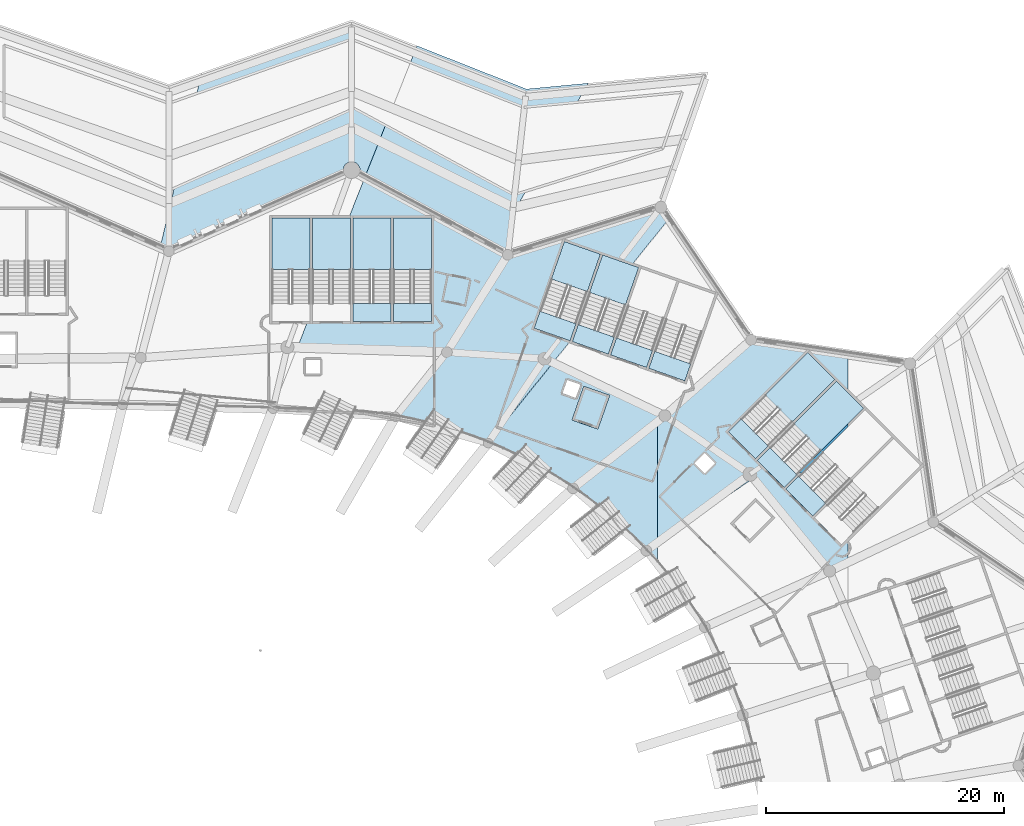
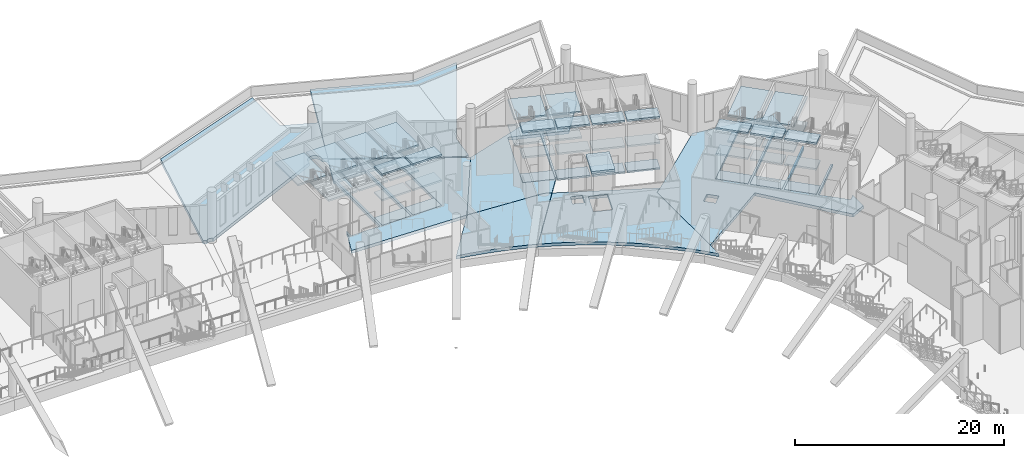
# One storey, part 39 of 173: 51 slabs, 11 elements without a shape of their own.
"""IFC4 building model written with IfcOpenShell, lengths in metres."""

from ifc_helpers import new_model, si_unit, direction, frame, origin, place, context, subcontext, project, spatial, polyline, outline, extrude, material, layer, layer_set, type_object, element, aggregate, save


model = new_model("IFC4")

# Units and contexts
model_context = context("Model", 3, precision=1e-05, world=origin(), true_north=direction((0.0, 1.0)))
body_context = subcontext(model_context, "Body", "Model", "MODEL_VIEW")
ifc_project = project(units=[si_unit("LENGTHUNIT", "METRE"), si_unit("AREAUNIT", "SQUARE_METRE"), si_unit("VOLUMEUNIT", "CUBIC_METRE"), si_unit("PLANEANGLEUNIT", "RADIAN"), si_unit("MASSUNIT", "GRAM", prefix="KILO")], contexts=[model_context])

# Site, building, storey
site_placement = place(None, origin())
site = spatial("IfcSite", under=ifc_project, at=site_placement, CompositionType="ELEMENT")
building_placement = place(site_placement, origin())
building = spatial("IfcBuilding", under=site, at=building_placement, Name="Meseta Stadium", CompositionType="ELEMENT")
storey_placement = place(building_placement, frame((0.0, 0.0, 18.0)))
storey = spatial("IfcBuildingStorey", under=building, at=storey_placement, Name="L03", CompositionType="ELEMENT", Elevation=18.0)

# Slabs
ifc_material_1 = material(Name="Concrete C40/50", Category="concrete")
ifc_layer_1 = layer(ifc_material_1, 0.25)
ifc_layer_set_1 = layer_set([ifc_layer_1], Name="Core roof slab 250")
slab_type_1 = type_object("IfcSlabType", Name="Core roof slab 250", PredefinedType="ROOF", material=ifc_layer_set_1)
slab_1_placement = place(storey_placement, frame((0.0, 0.0, 4.60009765625)))
element("IfcSlab", 1, at=slab_1_placement, inside=storey, type_object=slab_type_1, Name="Core 08 lift overrun roof", PredefinedType="ROOF", context=body_context, shape_type="SweptSolid", body=[
    extrude(outline(polyline([(59.990478515625, 86.500732421875), (58.999755859375, 83.669189453125), (56.828857421875, 84.4287109375), (57.819580078125, 87.260498046875), (59.990478515625, 86.500732421875)])), origin(), (0.0, 0.0, 1.0), 0.25),
])
ifc_material_2 = material(Name="Concrete C40/50", Category="concrete")
ifc_layer_2 = layer(ifc_material_2, 0.35009765625)
ifc_layer_set_2 = layer_set([ifc_layer_2], Name="Floor slab 350")
slab_type_2 = type_object("IfcSlabType", Name="Floor slab 350", PredefinedType="FLOOR", material=ifc_layer_set_2)
slab_2_placement = place(storey_placement, frame((0.0, 0.0, -0.35009765625)))
element("IfcSlab", 2, at=slab_2_placement, inside=storey, type_object=slab_type_2, Name="Floor slab L03 sector 07 panel 01", PredefinedType="FLOOR", context=body_context, shape_type="SweptSolid", body=[
    extrude(outline(polyline([(59.088623046875, 77.101318359375), (60.131591796875, 76.247314453125), (61.143310546875, 75.3564453125), (62.12255859375, 74.430419921875), (63.068115234375, 73.469970703125), (63.97900390625, 72.476318359375), (64.0, 72.451904296875), (64.0, 84.300537109375), (64.6220703125, 84.79248046875), (55.242919921875, 89.238037109375), (49.80078125, 82.494873046875), (51.03271484375, 81.971923828125), (52.254638671875, 81.401123046875), (53.455322265625, 80.78759765625), (54.63330078125, 80.13134765625), (55.786865234375, 79.433837890625), (56.9150390625, 78.69580078125), (58.01611328125, 77.91796875), (59.088623046875, 77.101318359375)]), holes=[polyline([(59.735595703125, 86.378173828125), (58.876953125, 83.924072265625), (57.08349609375, 84.551513671875), (57.9423828125, 87.005615234375), (59.735595703125, 86.378173828125)]), polyline([(57.156494140625, 86.274169921875), (56.02392578125, 86.67041015625), (56.42041015625, 87.802978515625), (57.552978515625, 87.40673828125), (57.156494140625, 86.274169921875)])]), origin(), (0.0, 0.0, 1.0), 0.35009765625),
])
slab_3_placement = place(storey_placement, frame((0.0, 0.0, -0.35009765625)))
element("IfcSlab", 3, at=slab_3_placement, inside=storey, type_object=slab_type_2, Name="Floor slab L03 sector 07 panel 03", PredefinedType="FLOOR", context=body_context, shape_type="SweptSolid", body=[
    extrude(outline(polyline([(80.94970703125, 80.0), (80.6669921875, 80.0), (77.0419921875, 76.375), (74.779296875, 78.6376953125), (76.141357421875, 80.0), (75.858642578125, 80.0), (74.6376953125, 78.779296875), (72.375, 81.0419921875), (79.02197265625, 87.688720703125), (80.0, 86.710693359375), (80.0, 89.94189453125), (71.856689453125, 91.15087890625), (64.6220703125, 84.79248046875), (64.0, 84.300537109375), (64.0, 74.098876953125), (72.06103515625, 79.54052734375), (78.4453125, 71.756103515625), (80.0, 72.48828125), (80.0, 74.524658203125), (79.4462890625, 73.970947265625), (77.183349609375, 76.233642578125), (80.94970703125, 80.0)]), holes=[polyline([(67.963134765625, 81.650390625), (68.811767578125, 80.802001953125), (67.963134765625, 79.953369140625), (67.114501953125, 80.802001953125), (67.963134765625, 81.650390625)]), polyline([(78.880615234375, 87.830078125), (72.233642578125, 81.183349609375), (69.970947265625, 83.4462890625), (76.61767578125, 90.093017578125), (78.880615234375, 87.830078125)])]), origin(), (0.0, 0.0, 1.0), 0.35009765625),
])
slab_4_placement = place(storey_placement, frame((0.0, 0.0, -0.35009765625)))
element("IfcSlab", 4, at=slab_4_placement, inside=storey, type_object=slab_type_2, Name="Floor slab L03 sector 07 panel 06", PredefinedType="FLOOR", context=body_context, shape_type="SweptSolid", body=[
    extrude(outline(polyline([(75.858642578125, 80.0), (76.141357421875, 80.0), (80.0, 83.858642578125), (80.0, 84.141357421875), (75.858642578125, 80.0)])), origin(), (0.0, 0.0, 1.0), 0.35009765625),
])
slab_5_placement = place(storey_placement, frame((0.0, 0.0, -0.35009765625)))
element("IfcSlab", 5, at=slab_5_placement, inside=storey, type_object=slab_type_2, Name="Floor slab L03 sector 14 panel 12", PredefinedType="FLOOR", context=body_context, shape_type="SweptSolid", body=[
    extrude(outline(polyline([(34.642822265625, 92.699951171875), (33.779541015625, 90.524658203125), (46.333251953125, 90.126220703125), (51.44140625, 98.29443359375), (39.443603515625, 104.798095703125), (38.09521484375, 101.39990234375), (38.2333984375, 101.39990234375), (38.2333984375, 92.699951171875), (35.033203125, 92.699951171875), (35.033203125, 93.683837890625), (34.833251953125, 93.179931640625), (34.833251953125, 92.699951171875), (34.642822265625, 92.699951171875)]), holes=[polyline([(41.833251953125, 101.39990234375), (45.033203125, 101.39990234375), (45.033203125, 92.699951171875), (41.833251953125, 92.699951171875), (41.833251953125, 101.39990234375)]), polyline([(41.63330078125, 101.39990234375), (41.63330078125, 92.699951171875), (38.433349609375, 92.699951171875), (38.433349609375, 101.39990234375), (41.63330078125, 101.39990234375)])]), origin(), (0.0, 0.0, 1.0), 0.35009765625),
])
slab_6_placement = place(storey_placement, frame((0.0, 0.0, -0.35009765625)))
element("IfcSlab", 6, at=slab_6_placement, inside=storey, type_object=slab_type_2, Name="Floor slab L03 sector 14 panel 13", PredefinedType="FLOOR", context=body_context, shape_type="SweptSolid", body=[
    extrude(outline(polyline([(45.963623046875, 83.810302734375), (47.255126953125, 83.418701171875), (48.531494140625, 82.981201171875), (49.78125, 82.502685546875), (55.224365234375, 89.246826171875), (54.523193359375, 89.579345703125), (46.333251953125, 90.126220703125), (42.015380859375, 84.707275390625), (43.34228515625, 84.455078125), (44.658935546875, 84.156005859375), (45.963623046875, 83.810302734375)])), origin(), (0.0, 0.0, 1.0), 0.35009765625),
])
slab_7_placement = place(storey_placement, frame((0.0, 0.0, -0.35009765625)))
element("IfcSlab", 7, at=slab_7_placement, inside=storey, type_object=slab_type_2, Name="Floor slab L03 sector 14 panel 14", PredefinedType="FLOOR", context=body_context, shape_type="SweptSolid", body=[
    extrude(outline(polyline([(59.399169921875, 98.2841796875), (61.8310546875, 97.43310546875), (64.961669921875, 101.312255859375), (64.297607421875, 102.291015625), (51.44140625, 98.29443359375), (46.333251953125, 90.126220703125), (54.523193359375, 89.579345703125), (55.224365234375, 89.246826171875), (57.011962890625, 91.4619140625), (59.399169921875, 98.2841796875)]), holes=[polyline([(56.667236328125, 91.082275390625), (53.646728515625, 92.13916015625), (56.18994140625, 99.406982421875), (59.21044921875, 98.35009765625), (56.667236328125, 91.082275390625)])]), origin(), (0.0, 0.0, 1.0), 0.35009765625),
])
ifc_material_3 = material(Name="Concrete C40/50", Category="concrete")
ifc_layer_3 = layer(ifc_material_3, 0.39990234375)
ifc_layer_set_3 = layer_set([ifc_layer_3], Name="Roof garden slab 400")
slab_type_3 = type_object("IfcSlabType", Name="Roof garden slab 400", PredefinedType="ROOF", material=ifc_layer_set_3)
slab_8_placement = place(storey_placement, frame((0.0, 0.0, -0.39990234375)))
element("IfcSlab", 8, at=slab_8_placement, inside=storey, type_object=slab_type_3, Name="Roof garden slab 2 panel 02", PredefinedType="ROOF", context=body_context, shape_type="SweptSolid", body=[
    extrude(outline(polyline([(39.015380859375, 105.21728515625), (39.009765625, 105.203857421875), (39.49951171875, 104.9384765625), (41.7451171875, 110.59765625), (38.333251953125, 112.0), (38.333251953125, 117.39990234375), (25.598876953125, 112.915283203125), (22.302978515625, 99.072998046875), (22.670654296875, 98.91015625), (22.67919921875, 98.9208984375), (22.773193359375, 98.9931640625), (22.882568359375, 99.038330078125), (23.0, 99.053955078125), (23.117431640625, 99.038330078125), (23.226806640625, 98.9931640625), (23.32080078125, 98.9208984375), (23.329345703125, 98.91015625), (37.645751953125, 105.25927734375), (37.627197265625, 105.39990234375), (37.6513671875, 105.582763671875), (37.721923828125, 105.7529296875), (37.833984375, 105.899169921875), (37.980224609375, 106.011474609375), (38.150634765625, 106.08203125), (38.333251953125, 106.10595703125), (38.51611328125, 106.08203125), (38.686279296875, 106.011474609375), (38.83251953125, 105.899169921875), (38.94482421875, 105.7529296875), (39.015380859375, 105.582763671875), (39.039306640625, 105.39990234375), (39.015380859375, 105.21728515625)])), origin(), (0.0, 0.0, 1.0), 0.39990234375),
])
slab_9_placement = place(storey_placement, frame((0.0, 0.0, -0.39990234375)))
element("IfcSlab", 9, at=slab_9_placement, inside=storey, type_object=slab_type_3, Name="Roof garden slab 2 panel 04", PredefinedType="ROOF", context=body_context, shape_type="SweptSolid", body=[
    extrude(outline(polyline([(51.214599609375, 98.6875), (51.323974609375, 98.73291015625), (51.44140625, 98.748291015625), (51.491943359375, 98.74169921875), (51.822021484375, 101.673095703125), (58.19482421875, 112.697998046875), (53.009033203125, 112.206298828125), (43.822509765625, 115.8330078125), (39.49951171875, 104.9384765625), (51.138671875, 98.629150390625), (51.214599609375, 98.6875)])), origin(), (0.0, 0.0, 1.0), 0.39990234375),
])

# Stair, slabs
ifc_material_4 = material(Name="Concrete C40/50", Category="concrete")
stair_type = type_object("IfcStairType", Name="Exit stair 4 flights 150 mm risers", PredefinedType="HALF_TURN_STAIR", material=ifc_material_4)
stair_1_placement = place(storey_placement, origin())
stair_1 = element("IfcStair", 10, at=stair_1_placement, inside=storey, type_object=stair_type, Name="ST26 L03", PredefinedType="HALF_TURN_STAIR")
ifc_material_5 = material(Name="Concrete C40/50", Category="concrete")
ifc_layer_4 = layer(ifc_material_5, 0.199951171875)
ifc_layer_set_4 = layer_set([ifc_layer_4], Name="Stair landing 200")
slab_type_4 = type_object("IfcSlabType", Name="Stair landing 200", PredefinedType="LANDING", material=ifc_layer_set_4)
slab_10_placement = place(storey_placement, frame((0.0, 0.0, 2.800048828125)))
slab_10 = element("IfcSlab", 11, at=slab_10_placement, type_object=slab_type_4, Name="ST26 L03 landing 2", PredefinedType="LANDING", context=body_context, shape_type="SweptSolid", body=[
    extrude(outline(polyline([(77.0419921875, 76.375), (78.109619140625, 77.44287109375), (75.846923828125, 79.70556640625), (74.779296875, 78.637939453125), (77.0419921875, 76.375)])), origin(), (0.0, 0.0, 1.0), 0.199951171875),
])
slab_11_placement = place(storey_placement, frame((0.0, 0.0, -0.199951171875)))
slab_11 = element("IfcSlab", 12, at=slab_11_placement, type_object=slab_type_4, Name="ST26 L03 landing 4", PredefinedType="LANDING", context=body_context, shape_type="SweptSolid", body=[
    extrude(outline(polyline([(77.0419921875, 76.375), (78.109619140625, 77.44287109375), (75.846923828125, 79.70556640625), (74.779296875, 78.637939453125), (77.0419921875, 76.375)])), origin(), (0.0, 0.0, 1.0), 0.199951171875),
])
slab_12_placement = place(storey_placement, frame((0.0, 0.0, 5.800048828125)))
slab_12 = element("IfcSlab", 13, at=slab_12_placement, type_object=slab_type_4, Name="ST26 L03 landing 5", PredefinedType="LANDING", context=body_context, shape_type="SweptSolid", body=[
    extrude(outline(polyline([(77.0419921875, 76.375), (78.109619140625, 77.44287109375), (75.846923828125, 79.70556640625), (74.779296875, 78.637939453125), (77.0419921875, 76.375)])), origin(), (0.0, 0.0, 1.0), 0.199951171875),
])
aggregate(stair_1, [slab_10, slab_11, slab_12])

stair_2_placement = place(storey_placement, origin())
stair_2 = element("IfcStair", 14, at=stair_2_placement, inside=storey, type_object=stair_type, Name="ST27 L03", PredefinedType="HALF_TURN_STAIR")
slab_13_placement = place(storey_placement, frame((0.0, 0.0, 1.300048828125)))
slab_13 = element("IfcSlab", 15, at=slab_13_placement, type_object=slab_type_4, Name="ST27 L03 landing 1", PredefinedType="LANDING", context=body_context, shape_type="SweptSolid", body=[
    extrude(outline(polyline([(77.727783203125, 81.869384765625), (81.28466796875, 85.426025390625), (79.02197265625, 87.688720703125), (75.465087890625, 84.132080078125), (77.727783203125, 81.869384765625)])), origin(), (0.0, 0.0, 1.0), 0.199951171875),
])
slab_14_placement = place(storey_placement, frame((0.0, 0.0, 2.800048828125)))
slab_14 = element("IfcSlab", 16, at=slab_14_placement, type_object=slab_type_4, Name="ST27 L03 landing 2", PredefinedType="LANDING", context=body_context, shape_type="SweptSolid", body=[
    extrude(outline(polyline([(74.637939453125, 78.779296875), (75.70556640625, 79.846923828125), (73.44287109375, 82.109619140625), (72.375, 81.0419921875), (74.637939453125, 78.779296875)])), origin(), (0.0, 0.0, 1.0), 0.199951171875),
])
slab_15_placement = place(storey_placement, frame((0.0, 0.0, 4.300048828125)))
slab_15 = element("IfcSlab", 17, at=slab_15_placement, type_object=slab_type_4, Name="ST27 L03 landing 3", PredefinedType="LANDING", context=body_context, shape_type="SweptSolid", body=[
    extrude(outline(polyline([(77.727783203125, 81.869384765625), (81.28466796875, 85.426025390625), (79.02197265625, 87.688720703125), (75.465087890625, 84.132080078125), (77.727783203125, 81.869384765625)])), origin(), (0.0, 0.0, 1.0), 0.199951171875),
])
slab_16_placement = place(storey_placement, frame((0.0, 0.0, -0.199951171875)))
slab_16 = element("IfcSlab", 18, at=slab_16_placement, type_object=slab_type_4, Name="ST27 L03 landing 4", PredefinedType="LANDING", context=body_context, shape_type="SweptSolid", body=[
    extrude(outline(polyline([(74.637939453125, 78.779296875), (75.70556640625, 79.846923828125), (73.44287109375, 82.109619140625), (72.375, 81.0419921875), (74.637939453125, 78.779296875)])), origin(), (0.0, 0.0, 1.0), 0.199951171875),
])
slab_17_placement = place(storey_placement, frame((0.0, 0.0, 5.800048828125)))
slab_17 = element("IfcSlab", 19, at=slab_17_placement, type_object=slab_type_4, Name="ST27 L03 landing 5", PredefinedType="LANDING", context=body_context, shape_type="SweptSolid", body=[
    extrude(outline(polyline([(74.637939453125, 78.779296875), (75.70556640625, 79.846923828125), (73.44287109375, 82.109619140625), (72.375, 81.0419921875), (74.637939453125, 78.779296875)])), origin(), (0.0, 0.0, 1.0), 0.199951171875),
])
aggregate(stair_2, [slab_13, slab_14, slab_15, slab_16, slab_17])

stair_3_placement = place(storey_placement, origin())
stair_3 = element("IfcStair", 20, at=stair_3_placement, inside=storey, type_object=stair_type, Name="ST28 L03", PredefinedType="HALF_TURN_STAIR")
slab_18_placement = place(storey_placement, frame((0.0, 0.0, 1.300048828125)))
slab_18 = element("IfcSlab", 21, at=slab_18_placement, type_object=slab_type_4, Name="ST28 L03 landing 1", PredefinedType="LANDING", context=body_context, shape_type="SweptSolid", body=[
    extrude(outline(polyline([(75.32373046875, 84.2734375), (78.88037109375, 87.830322265625), (76.61767578125, 90.093017578125), (73.06103515625, 86.5361328125), (75.32373046875, 84.2734375)])), origin(), (0.0, 0.0, 1.0), 0.199951171875),
])
slab_19_placement = place(storey_placement, frame((0.0, 0.0, 2.800048828125)))
slab_19 = element("IfcSlab", 22, at=slab_19_placement, type_object=slab_type_4, Name="ST28 L03 landing 2", PredefinedType="LANDING", context=body_context, shape_type="SweptSolid", body=[
    extrude(outline(polyline([(72.233642578125, 81.183349609375), (73.301513671875, 82.251220703125), (71.03857421875, 84.513916015625), (69.970947265625, 83.446044921875), (72.233642578125, 81.183349609375)])), origin(), (0.0, 0.0, 1.0), 0.199951171875),
])
slab_20_placement = place(storey_placement, frame((0.0, 0.0, 4.300048828125)))
slab_20 = element("IfcSlab", 23, at=slab_20_placement, type_object=slab_type_4, Name="ST28 L03 landing 3", PredefinedType="LANDING", context=body_context, shape_type="SweptSolid", body=[
    extrude(outline(polyline([(75.32373046875, 84.2734375), (78.88037109375, 87.830322265625), (76.61767578125, 90.093017578125), (73.06103515625, 86.5361328125), (75.32373046875, 84.2734375)])), origin(), (0.0, 0.0, 1.0), 0.199951171875),
])
slab_21_placement = place(storey_placement, frame((0.0, 0.0, -0.199951171875)))
slab_21 = element("IfcSlab", 24, at=slab_21_placement, type_object=slab_type_4, Name="ST28 L03 landing 4", PredefinedType="LANDING", context=body_context, shape_type="SweptSolid", body=[
    extrude(outline(polyline([(72.233642578125, 81.183349609375), (73.301513671875, 82.251220703125), (71.03857421875, 84.513916015625), (69.970947265625, 83.446044921875), (72.233642578125, 81.183349609375)])), origin(), (0.0, 0.0, 1.0), 0.199951171875),
])
slab_22_placement = place(storey_placement, frame((0.0, 0.0, 5.800048828125)))
slab_22 = element("IfcSlab", 25, at=slab_22_placement, type_object=slab_type_4, Name="ST28 L03 landing 5", PredefinedType="LANDING", context=body_context, shape_type="SweptSolid", body=[
    extrude(outline(polyline([(72.233642578125, 81.183349609375), (73.301513671875, 82.251220703125), (71.03857421875, 84.513916015625), (69.970947265625, 83.446044921875), (72.233642578125, 81.183349609375)])), origin(), (0.0, 0.0, 1.0), 0.199951171875),
])
aggregate(stair_3, [slab_18, slab_19, slab_20, slab_21, slab_22])

stair_4_placement = place(storey_placement, origin())
stair_4 = element("IfcStair", 26, at=stair_4_placement, inside=storey, type_object=stair_type, Name="ST29 L03", PredefinedType="HALF_TURN_STAIR")
slab_23_placement = place(storey_placement, frame((0.0, 0.0, 2.800048828125)))
slab_23 = element("IfcSlab", 27, at=slab_23_placement, type_object=slab_type_4, Name="ST29 L03 landing 2", PredefinedType="LANDING", context=body_context, shape_type="SweptSolid", body=[
    extrude(outline(polyline([(66.294921875, 87.71337890625), (66.79345703125, 89.138671875), (63.773193359375, 90.195556640625), (63.2744140625, 88.770263671875), (66.294921875, 87.71337890625)])), origin(), (0.0, 0.0, 1.0), 0.199951171875),
])
slab_24_placement = place(storey_placement, frame((0.0, 0.0, -0.199951171875)))
slab_24 = element("IfcSlab", 28, at=slab_24_placement, type_object=slab_type_4, Name="ST29 L03 landing 4", PredefinedType="LANDING", context=body_context, shape_type="SweptSolid", body=[
    extrude(outline(polyline([(66.294921875, 87.71337890625), (66.79345703125, 89.138671875), (63.773193359375, 90.195556640625), (63.2744140625, 88.770263671875), (66.294921875, 87.71337890625)])), origin(), (0.0, 0.0, 1.0), 0.199951171875),
])
slab_25_placement = place(storey_placement, frame((0.0, 0.0, 5.800048828125)))
slab_25 = element("IfcSlab", 29, at=slab_25_placement, type_object=slab_type_4, Name="ST29 L03 landing 5", PredefinedType="LANDING", context=body_context, shape_type="SweptSolid", body=[
    extrude(outline(polyline([(66.294921875, 87.71337890625), (66.79345703125, 89.138671875), (63.773193359375, 90.195556640625), (63.2744140625, 88.770263671875), (66.294921875, 87.71337890625)])), origin(), (0.0, 0.0, 1.0), 0.199951171875),
])
aggregate(stair_4, [slab_23, slab_24, slab_25])

stair_5_placement = place(storey_placement, origin())
stair_5 = element("IfcStair", 30, at=stair_5_placement, inside=storey, type_object=stair_type, Name="ST30 L03", PredefinedType="HALF_TURN_STAIR")
slab_26_placement = place(storey_placement, frame((0.0, 0.0, 2.800048828125)))
slab_26 = element("IfcSlab", 31, at=slab_26_placement, type_object=slab_type_4, Name="ST30 L03 landing 2", PredefinedType="LANDING", context=body_context, shape_type="SweptSolid", body=[
    extrude(outline(polyline([(63.085693359375, 88.83642578125), (63.584228515625, 90.26171875), (60.56396484375, 91.318603515625), (60.065185546875, 89.893310546875), (63.085693359375, 88.83642578125)])), origin(), (0.0, 0.0, 1.0), 0.199951171875),
])
slab_27_placement = place(storey_placement, frame((0.0, 0.0, -0.199951171875)))
slab_27 = element("IfcSlab", 32, at=slab_27_placement, type_object=slab_type_4, Name="ST30 L03 landing 4", PredefinedType="LANDING", context=body_context, shape_type="SweptSolid", body=[
    extrude(outline(polyline([(63.085693359375, 88.83642578125), (63.584228515625, 90.26171875), (60.56396484375, 91.318603515625), (60.065185546875, 89.893310546875), (63.085693359375, 88.83642578125)])), origin(), (0.0, 0.0, 1.0), 0.199951171875),
])
slab_28_placement = place(storey_placement, frame((0.0, 0.0, 5.800048828125)))
slab_28 = element("IfcSlab", 33, at=slab_28_placement, type_object=slab_type_4, Name="ST30 L03 landing 5", PredefinedType="LANDING", context=body_context, shape_type="SweptSolid", body=[
    extrude(outline(polyline([(63.085693359375, 88.83642578125), (63.584228515625, 90.26171875), (60.56396484375, 91.318603515625), (60.065185546875, 89.893310546875), (63.085693359375, 88.83642578125)])), origin(), (0.0, 0.0, 1.0), 0.199951171875),
])
aggregate(stair_5, [slab_26, slab_27, slab_28])

stair_6_placement = place(storey_placement, origin())
stair_6 = element("IfcStair", 34, at=stair_6_placement, inside=storey, type_object=stair_type, Name="ST31 L03", PredefinedType="HALF_TURN_STAIR")
slab_29_placement = place(storey_placement, frame((0.0, 0.0, 1.300048828125)))
slab_29 = element("IfcSlab", 35, at=slab_29_placement, type_object=slab_type_4, Name="ST31 L03 landing 1", PredefinedType="LANDING", context=body_context, shape_type="SweptSolid", body=[
    extrude(outline(polyline([(61.31982421875, 94.083984375), (62.419677734375, 97.227294921875), (59.399169921875, 98.2841796875), (58.29931640625, 95.140869140625), (61.31982421875, 94.083984375)])), origin(), (0.0, 0.0, 1.0), 0.199951171875),
])
slab_30_placement = place(storey_placement, frame((0.0, 0.0, 2.800048828125)))
slab_30 = element("IfcSlab", 36, at=slab_30_placement, type_object=slab_type_4, Name="ST31 L03 landing 2", PredefinedType="LANDING", context=body_context, shape_type="SweptSolid", body=[
    extrude(outline(polyline([(59.87646484375, 89.959228515625), (60.375244140625, 91.384521484375), (57.354736328125, 92.44140625), (56.85595703125, 91.01611328125), (59.87646484375, 89.959228515625)])), origin(), (0.0, 0.0, 1.0), 0.199951171875),
])
slab_31_placement = place(storey_placement, frame((0.0, 0.0, 4.300048828125)))
slab_31 = element("IfcSlab", 37, at=slab_31_placement, type_object=slab_type_4, Name="ST31 L03 landing 3", PredefinedType="LANDING", context=body_context, shape_type="SweptSolid", body=[
    extrude(outline(polyline([(61.31982421875, 94.083984375), (62.419677734375, 97.227294921875), (59.399169921875, 98.2841796875), (58.29931640625, 95.140869140625), (61.31982421875, 94.083984375)])), origin(), (0.0, 0.0, 1.0), 0.199951171875),
])
slab_32_placement = place(storey_placement, frame((0.0, 0.0, -0.199951171875)))
slab_32 = element("IfcSlab", 38, at=slab_32_placement, type_object=slab_type_4, Name="ST31 L03 landing 4", PredefinedType="LANDING", context=body_context, shape_type="SweptSolid", body=[
    extrude(outline(polyline([(59.87646484375, 89.959228515625), (60.375244140625, 91.384521484375), (57.354736328125, 92.44140625), (56.85595703125, 91.01611328125), (59.87646484375, 89.959228515625)])), origin(), (0.0, 0.0, 1.0), 0.199951171875),
])
slab_33_placement = place(storey_placement, frame((0.0, 0.0, 5.800048828125)))
slab_33 = element("IfcSlab", 39, at=slab_33_placement, type_object=slab_type_4, Name="ST31 L03 landing 5", PredefinedType="LANDING", context=body_context, shape_type="SweptSolid", body=[
    extrude(outline(polyline([(59.87646484375, 89.959228515625), (60.375244140625, 91.384521484375), (57.354736328125, 92.44140625), (56.85595703125, 91.01611328125), (59.87646484375, 89.959228515625)])), origin(), (0.0, 0.0, 1.0), 0.199951171875),
])
aggregate(stair_6, [slab_29, slab_30, slab_31, slab_32, slab_33])

stair_7_placement = place(storey_placement, origin())
stair_7 = element("IfcStair", 40, at=stair_7_placement, inside=storey, type_object=stair_type, Name="ST32 L03", PredefinedType="HALF_TURN_STAIR")
slab_34_placement = place(storey_placement, frame((0.0, 0.0, 1.300048828125)))
slab_34 = element("IfcSlab", 41, at=slab_34_placement, type_object=slab_type_4, Name="ST32 L03 landing 1", PredefinedType="LANDING", context=body_context, shape_type="SweptSolid", body=[
    extrude(outline(polyline([(58.110595703125, 95.20703125), (59.21044921875, 98.35009765625), (56.18994140625, 99.406982421875), (55.090087890625, 96.263916015625), (58.110595703125, 95.20703125)])), origin(), (0.0, 0.0, 1.0), 0.199951171875),
])
slab_35_placement = place(storey_placement, frame((0.0, 0.0, 2.800048828125)))
slab_35 = element("IfcSlab", 42, at=slab_35_placement, type_object=slab_type_4, Name="ST32 L03 landing 2", PredefinedType="LANDING", context=body_context, shape_type="SweptSolid", body=[
    extrude(outline(polyline([(56.667236328125, 91.082275390625), (57.166015625, 92.507568359375), (54.1455078125, 93.564453125), (53.646728515625, 92.13916015625), (56.667236328125, 91.082275390625)])), origin(), (0.0, 0.0, 1.0), 0.199951171875),
])
slab_36_placement = place(storey_placement, frame((0.0, 0.0, 4.300048828125)))
slab_36 = element("IfcSlab", 43, at=slab_36_placement, type_object=slab_type_4, Name="ST32 L03 landing 3", PredefinedType="LANDING", context=body_context, shape_type="SweptSolid", body=[
    extrude(outline(polyline([(58.110595703125, 95.20703125), (59.21044921875, 98.35009765625), (56.18994140625, 99.406982421875), (55.090087890625, 96.263916015625), (58.110595703125, 95.20703125)])), origin(), (0.0, 0.0, 1.0), 0.199951171875),
])
slab_37_placement = place(storey_placement, frame((0.0, 0.0, -0.199951171875)))
slab_37 = element("IfcSlab", 44, at=slab_37_placement, type_object=slab_type_4, Name="ST32 L03 landing 4", PredefinedType="LANDING", context=body_context, shape_type="SweptSolid", body=[
    extrude(outline(polyline([(56.667236328125, 91.082275390625), (57.166015625, 92.507568359375), (54.1455078125, 93.564453125), (53.646728515625, 92.13916015625), (56.667236328125, 91.082275390625)])), origin(), (0.0, 0.0, 1.0), 0.199951171875),
])
slab_38_placement = place(storey_placement, frame((0.0, 0.0, 5.800048828125)))
slab_38 = element("IfcSlab", 45, at=slab_38_placement, type_object=slab_type_4, Name="ST32 L03 landing 5", PredefinedType="LANDING", context=body_context, shape_type="SweptSolid", body=[
    extrude(outline(polyline([(56.667236328125, 91.082275390625), (57.166015625, 92.507568359375), (54.1455078125, 93.564453125), (53.646728515625, 92.13916015625), (56.667236328125, 91.082275390625)])), origin(), (0.0, 0.0, 1.0), 0.199951171875),
])
aggregate(stair_7, [slab_34, slab_35, slab_36, slab_37, slab_38])

stair_8_placement = place(storey_placement, origin())
stair_8 = element("IfcStair", 46, at=stair_8_placement, inside=storey, type_object=stair_type, Name="ST33 L03", PredefinedType="HALF_TURN_STAIR")
slab_39_placement = place(storey_placement, frame((0.0, 0.0, 1.300048828125)))
slab_39 = element("IfcSlab", 47, at=slab_39_placement, type_object=slab_type_4, Name="ST33 L03 landing 1", PredefinedType="LANDING", context=body_context, shape_type="SweptSolid", body=[
    extrude(outline(polyline([(45.033447265625, 97.070068359375), (45.033447265625, 101.39990234375), (41.833251953125, 101.39990234375), (41.833251953125, 97.070068359375), (45.033447265625, 97.070068359375)])), origin(), (0.0, 0.0, 1.0), 0.199951171875),
])
slab_40_placement = place(storey_placement, frame((0.0, 0.0, 2.800048828125)))
slab_40 = element("IfcSlab", 48, at=slab_40_placement, type_object=slab_type_4, Name="ST33 L03 landing 2", PredefinedType="LANDING", context=body_context, shape_type="SweptSolid", body=[
    extrude(outline(polyline([(45.033447265625, 92.699951171875), (45.033447265625, 94.2099609375), (41.833251953125, 94.2099609375), (41.833251953125, 92.699951171875), (45.033447265625, 92.699951171875)])), origin(), (0.0, 0.0, 1.0), 0.199951171875),
])
slab_41_placement = place(storey_placement, frame((0.0, 0.0, 4.300048828125)))
slab_41 = element("IfcSlab", 49, at=slab_41_placement, type_object=slab_type_4, Name="ST33 L03 landing 3", PredefinedType="LANDING", context=body_context, shape_type="SweptSolid", body=[
    extrude(outline(polyline([(45.033447265625, 97.070068359375), (45.033447265625, 101.39990234375), (41.833251953125, 101.39990234375), (41.833251953125, 97.070068359375), (45.033447265625, 97.070068359375)])), origin(), (0.0, 0.0, 1.0), 0.199951171875),
])
slab_42_placement = place(storey_placement, frame((0.0, 0.0, -0.199951171875)))
slab_42 = element("IfcSlab", 50, at=slab_42_placement, type_object=slab_type_4, Name="ST33 L03 landing 4", PredefinedType="LANDING", context=body_context, shape_type="SweptSolid", body=[
    extrude(outline(polyline([(45.033447265625, 92.699951171875), (45.033447265625, 94.2099609375), (41.833251953125, 94.2099609375), (41.833251953125, 92.699951171875), (45.033447265625, 92.699951171875)])), origin(), (0.0, 0.0, 1.0), 0.199951171875),
])
slab_43_placement = place(storey_placement, frame((0.0, 0.0, 5.800048828125)))
slab_43 = element("IfcSlab", 51, at=slab_43_placement, type_object=slab_type_4, Name="ST33 L03 landing 5", PredefinedType="LANDING", context=body_context, shape_type="SweptSolid", body=[
    extrude(outline(polyline([(45.033447265625, 92.699951171875), (45.033447265625, 94.2099609375), (41.833251953125, 94.2099609375), (41.833251953125, 92.699951171875), (45.033447265625, 92.699951171875)])), origin(), (0.0, 0.0, 1.0), 0.199951171875),
])
aggregate(stair_8, [slab_39, slab_40, slab_41, slab_42, slab_43])

stair_9_placement = place(storey_placement, origin())
stair_9 = element("IfcStair", 52, at=stair_9_placement, inside=storey, type_object=stair_type, Name="ST34 L03", PredefinedType="HALF_TURN_STAIR")
slab_44_placement = place(storey_placement, frame((0.0, 0.0, 1.300048828125)))
slab_44 = element("IfcSlab", 53, at=slab_44_placement, type_object=slab_type_4, Name="ST34 L03 landing 1", PredefinedType="LANDING", context=body_context, shape_type="SweptSolid", body=[
    extrude(outline(polyline([(41.63330078125, 97.070068359375), (41.63330078125, 101.39990234375), (38.433349609375, 101.39990234375), (38.433349609375, 97.070068359375), (41.63330078125, 97.070068359375)])), origin(), (0.0, 0.0, 1.0), 0.199951171875),
])
slab_45_placement = place(storey_placement, frame((0.0, 0.0, 2.800048828125)))
slab_45 = element("IfcSlab", 54, at=slab_45_placement, type_object=slab_type_4, Name="ST34 L03 landing 2", PredefinedType="LANDING", context=body_context, shape_type="SweptSolid", body=[
    extrude(outline(polyline([(41.63330078125, 92.699951171875), (41.63330078125, 94.2099609375), (38.433349609375, 94.2099609375), (38.433349609375, 92.699951171875), (41.63330078125, 92.699951171875)])), origin(), (0.0, 0.0, 1.0), 0.199951171875),
])
slab_46_placement = place(storey_placement, frame((0.0, 0.0, 4.300048828125)))
slab_46 = element("IfcSlab", 55, at=slab_46_placement, type_object=slab_type_4, Name="ST34 L03 landing 3", PredefinedType="LANDING", context=body_context, shape_type="SweptSolid", body=[
    extrude(outline(polyline([(41.63330078125, 97.070068359375), (41.63330078125, 101.39990234375), (38.433349609375, 101.39990234375), (38.433349609375, 97.070068359375), (41.63330078125, 97.070068359375)])), origin(), (0.0, 0.0, 1.0), 0.199951171875),
])
slab_47_placement = place(storey_placement, frame((0.0, 0.0, -0.199951171875)))
slab_47 = element("IfcSlab", 56, at=slab_47_placement, type_object=slab_type_4, Name="ST34 L03 landing 4", PredefinedType="LANDING", context=body_context, shape_type="SweptSolid", body=[
    extrude(outline(polyline([(41.63330078125, 92.699951171875), (41.63330078125, 94.2099609375), (38.433349609375, 94.2099609375), (38.433349609375, 92.699951171875), (41.63330078125, 92.699951171875)])), origin(), (0.0, 0.0, 1.0), 0.199951171875),
])
slab_48_placement = place(storey_placement, frame((0.0, 0.0, 5.800048828125)))
slab_48 = element("IfcSlab", 57, at=slab_48_placement, type_object=slab_type_4, Name="ST34 L03 landing 5", PredefinedType="LANDING", context=body_context, shape_type="SweptSolid", body=[
    extrude(outline(polyline([(41.63330078125, 92.699951171875), (41.63330078125, 94.2099609375), (38.433349609375, 94.2099609375), (38.433349609375, 92.699951171875), (41.63330078125, 92.699951171875)])), origin(), (0.0, 0.0, 1.0), 0.199951171875),
])
aggregate(stair_9, [slab_44, slab_45, slab_46, slab_47, slab_48])

stair_10_placement = place(storey_placement, origin())
stair_10 = element("IfcStair", 58, at=stair_10_placement, inside=storey, type_object=stair_type, Name="ST35 L03", PredefinedType="HALF_TURN_STAIR")
slab_49_placement = place(storey_placement, frame((0.0, 0.0, 1.300048828125)))
slab_49 = element("IfcSlab", 59, at=slab_49_placement, type_object=slab_type_4, Name="ST35 L03 landing 1", PredefinedType="LANDING", context=body_context, shape_type="SweptSolid", body=[
    extrude(outline(polyline([(38.2333984375, 97.070068359375), (38.2333984375, 101.39990234375), (35.033447265625, 101.39990234375), (35.033447265625, 97.070068359375), (38.2333984375, 97.070068359375)])), origin(), (0.0, 0.0, 1.0), 0.199951171875),
])
slab_50_placement = place(storey_placement, frame((0.0, 0.0, 4.300048828125)))
slab_50 = element("IfcSlab", 60, at=slab_50_placement, type_object=slab_type_4, Name="ST35 L03 landing 3", PredefinedType="LANDING", context=body_context, shape_type="SweptSolid", body=[
    extrude(outline(polyline([(38.2333984375, 97.070068359375), (38.2333984375, 101.39990234375), (35.033447265625, 101.39990234375), (35.033447265625, 97.070068359375), (38.2333984375, 97.070068359375)])), origin(), (0.0, 0.0, 1.0), 0.199951171875),
])
aggregate(stair_10, [slab_49, slab_50])

# Stair, slab
stair_11_placement = place(storey_placement, origin())
stair_11 = element("IfcStair", 61, at=stair_11_placement, inside=storey, type_object=stair_type, Name="ST36 L03", PredefinedType="HALF_TURN_STAIR")
slab_51_placement = place(storey_placement, frame((0.0, 0.0, 4.300048828125)))
slab_51 = element("IfcSlab", 62, at=slab_51_placement, type_object=slab_type_4, Name="ST36 L03 landing 3", PredefinedType="LANDING", context=body_context, shape_type="SweptSolid", body=[
    extrude(outline(polyline([(34.833251953125, 97.070068359375), (34.833251953125, 101.39990234375), (31.63330078125, 101.39990234375), (31.63330078125, 97.070068359375), (34.833251953125, 97.070068359375)])), origin(), (0.0, 0.0, 1.0), 0.199951171875),
])
aggregate(stair_11, [slab_51])

save(model, "model.ifc")
